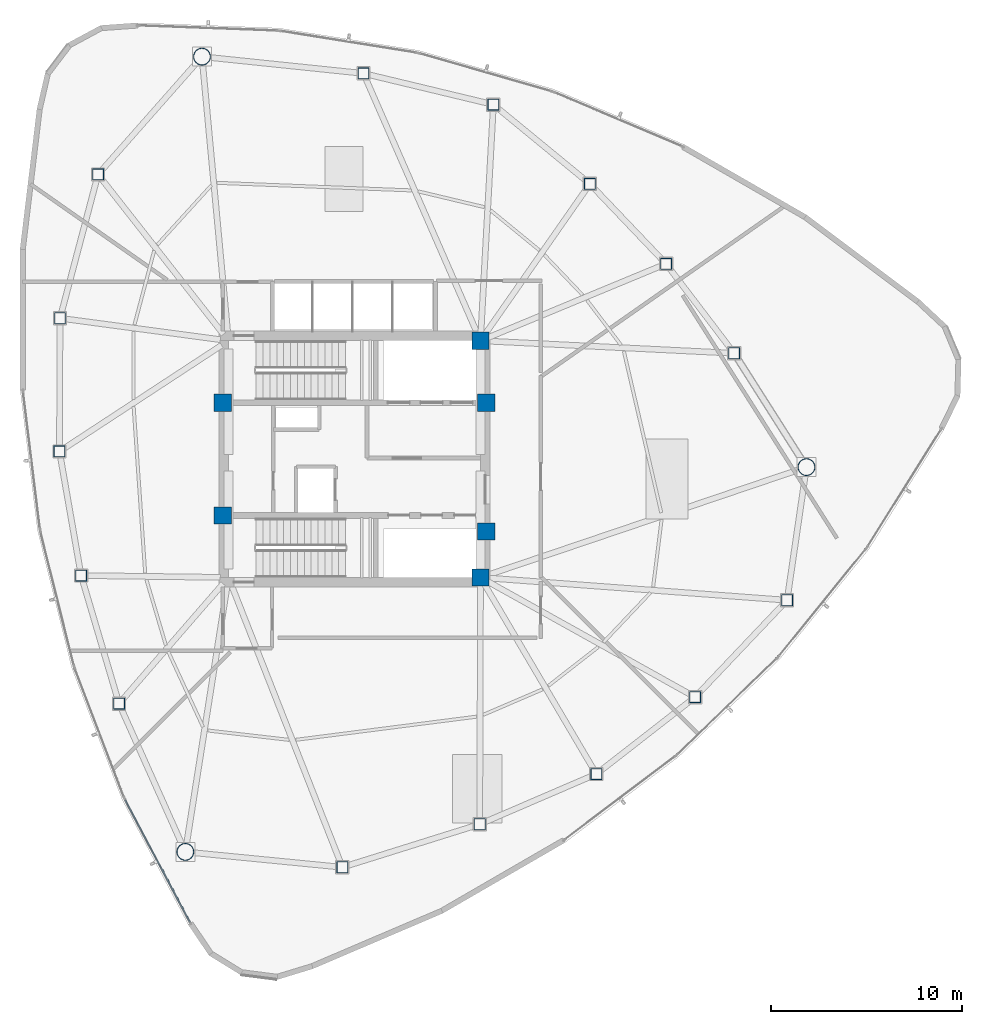
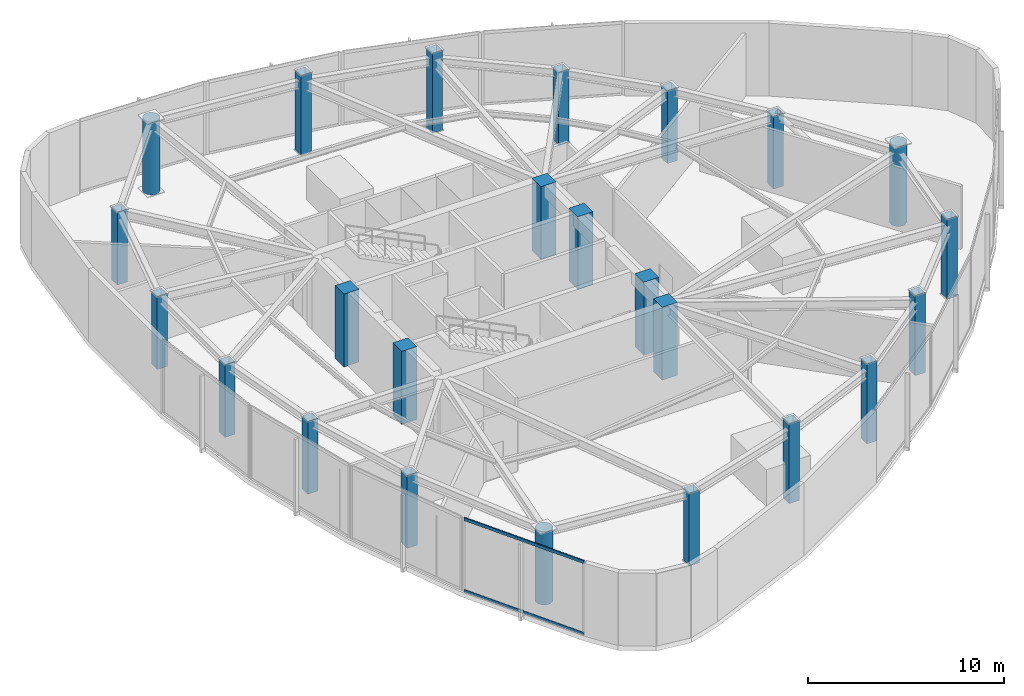
# One storey, part 1 of 17: 24 columns, 2 members, 1 element without a shape of its own.
"""IFC4 building model written with IfcOpenShell, lengths in metres."""

from ifc_helpers import new_model, si_unit, direction, frame, origin, origin_2d, place, context, subcontext, project, spatial, rectangle, hollow_rectangle, hollow_circle, extrude, source, transform, mapped, material, layer, layer_set, material_profile, profile_set, type_object, type_shapes, element, aggregate, save


model = new_model("IFC4")

# Units and contexts
model_context = context("Model", 3, precision=1e-05, world=origin(), true_north=direction((0.0, 1.0)))
body_context = subcontext(model_context, "Body", "Model", "MODEL_VIEW")
ifc_project = project(units=[si_unit("LENGTHUNIT", "METRE"), si_unit("AREAUNIT", "SQUARE_METRE"), si_unit("VOLUMEUNIT", "CUBIC_METRE"), si_unit("PLANEANGLEUNIT", "RADIAN"), si_unit("MASSUNIT", "GRAM", prefix="KILO")], contexts=[model_context])

# Site, building, storey
site_placement = place(None, origin())
site = spatial("IfcSite", under=ifc_project, at=site_placement, CompositionType="ELEMENT")
building_placement = place(site_placement, origin())
building = spatial("IfcBuilding", under=site, at=building_placement, Name="Tavelor Broadcast Tower", CompositionType="ELEMENT")
storey_placement = place(building_placement, frame((0.0, 0.0, 204.14990234375)))
storey = spatial("IfcBuildingStorey", under=building, at=storey_placement, Name="L49", CompositionType="ELEMENT", Elevation=204.14990234375)

# Columns
ifc_material_1 = material(Name="Concrete C50/60", Category="concrete")
ifc_material_profile_1 = material_profile(ifc_material_1, rectangle(XDim=0.89990234375, YDim=0.89990234375, at=origin_2d()), Name="RC 900x900")
ifc_profile_set_1 = profile_set([ifc_material_profile_1], Name="Concrete C50/60")
column_type_1 = type_object("IfcColumnType", Name="Core Embedded Composite Column RC900", PredefinedType="COLUMN", material=ifc_profile_set_1)
for number, where, z_axis, x_axis, name in (
    (1, (43.10009765625, 47.949951171875, 0.0), (0.0, 0.0, 1.0), (1.0, 0.0, 0.0), "L49 Core Embedded Column 1"),
    (2, (56.89990234375, 47.949951171875, 0.0), (0.0, 0.0, 1.0), (1.0, 0.0, 0.0), "L49 Core Embedded Column 2"),
    (3, (56.60009765625, 51.199951171875, 0.0), (0.0, 0.0, 1.0), (1.0, 0.0, 0.0), "L49 Core Embedded Column 3"),
    (4, (43.10009765625, 42.050048828125, 0.0), (0.0, 0.0, 1.0), (1.0, 0.0, 0.0), "L49 Core Embedded Column 4"),
    (5, (56.89990234375, 41.199951171875, 0.0), (0.0, 0.0, 1.0), (1.0, 0.0, 0.0), "L49 Core Embedded Column 5"),
    (6, (56.60009765625, 38.800048828125, 0.0), (0.0, 0.0, 1.0), (1.0, 0.0, 0.0), "L49 Core Embedded Column 6"),
):
    element("IfcColumn", number, at=place(storey_placement, frame(where, z_axis=z_axis, x_axis=x_axis)), inside=storey, type_object=column_type_1, Name=name, PredefinedType="COLUMN", context=body_context, shape_type="SweptSolid", body=[
        extrude(rectangle(XDim=0.89990234375, YDim=0.89990234375, at=origin_2d()), origin(), (0.0, 0.0, 1.0), 4.550048828125),
    ])
ifc_material_2 = material(Name="Steel S460", Category="steel")
ifc_material_profile_2 = material_profile(ifc_material_2, hollow_rectangle(XDim=0.60009765625, YDim=0.60009765625, WallThickness=0.035888671875, at=origin_2d()), Name="SHS 600x600x36")
ifc_profile_set_2 = profile_set([ifc_material_profile_2], Name="Steel S460")
column_type_2 = type_object("IfcColumnType", Name="Perimeter Tube Column T4 SHS 600x600x36", PredefinedType="COLUMN", material=ifc_profile_set_2)
for number, where, z_axis, x_axis, name in (
    (7, (36.567626953125, 59.91064453125, 0.0), (0.0, 0.0, 1.0), (1.0, 0.0, 0.0), "L49 Perimeter Framed-Tube Column 02"),
    (8, (34.5751953125, 52.37939453125, 0.0), (0.0, 0.0, 1.0), (1.0, 0.0, 0.0), "L49 Perimeter Framed-Tube Column 03"),
    (9, (34.54638671875, 45.399169921875, 0.0), (0.0, 0.0, 1.0), (1.0, 0.0, 0.0), "L49 Perimeter Framed-Tube Column 04"),
    (10, (35.680908203125, 38.89990234375, 0.0), (0.0, 0.0, 1.0), (1.0, 0.0, 0.0), "L49 Perimeter Framed-Tube Column 05"),
    (11, (37.668212890625, 32.1904296875, 0.0), (0.0, 0.0, 1.0), (1.0, 0.0, 0.0), "L49 Perimeter Framed-Tube Column 06"),
    (12, (49.366455078125, 23.618896484375, 0.0), (0.0, 0.0, 1.0), (1.0, 0.0, 0.0), "L49 Perimeter Framed-Tube Column 08"),
):
    element("IfcColumn", number, at=place(storey_placement, frame(where, z_axis=z_axis, x_axis=x_axis)), inside=storey, type_object=column_type_2, Name=name, PredefinedType="COLUMN", context=body_context, shape_type="SweptSolid", body=[
        extrude(hollow_rectangle(XDim=0.60009765625, YDim=0.60009765625, WallThickness=0.035888671875, at=origin_2d()), origin(), (0.0, 0.0, 1.0), 4.550048828125),
    ])
for number, where, z_axis, x_axis, name in (
    (13, (56.56103515625, 25.872802734375, 0.0), (0.0, 0.0, 1.0), (1.0, 0.0, 0.0), "L49 Perimeter Framed-Tube Column 09"),
    (14, (62.669189453125, 28.503173828125, 0.0), (0.0, 0.0, 1.0), (1.0, 0.0, 0.0), "L49 Perimeter Framed-Tube Column 10"),
    (15, (67.84228515625, 32.53173828125, 0.0), (0.0, 0.0, 1.0), (1.0, 0.0, 0.0), "L49 Perimeter Framed-Tube Column 11"),
    (16, (72.6591796875, 37.607421875, 0.0), (0.0, 0.0, 1.0), (1.0, 0.0, 0.0), "L49 Perimeter Framed-Tube Column 12"),
):
    element("IfcColumn", number, at=place(storey_placement, frame(where, z_axis=z_axis, x_axis=x_axis)), inside=storey, type_object=column_type_2, Name=name, PredefinedType="COLUMN", context=body_context, shape_type="SweptSolid", body=[
        extrude(hollow_rectangle(XDim=0.60009765625, YDim=0.60009765625, WallThickness=0.035888671875, at=origin_2d()), origin(), (0.0, 0.0, 1.0), 5.0),
    ])
for number, where, z_axis, x_axis, name in (
    (17, (69.885986328125, 50.544189453125, 0.0), (0.0, 0.0, 1.0), (1.0, 0.0, 0.0), "L49 Perimeter Framed-Tube Column 14"),
    (18, (66.322021484375, 55.228759765625, 0.0), (0.0, 0.0, 1.0), (1.0, 0.0, 0.0), "L49 Perimeter Framed-Tube Column 15"),
    (19, (62.330810546875, 59.416259765625, 0.0), (0.0, 0.0, 1.0), (1.0, 0.0, 0.0), "L49 Perimeter Framed-Tube Column 16"),
):
    element("IfcColumn", number, at=place(storey_placement, frame(where, z_axis=z_axis, x_axis=x_axis)), inside=storey, type_object=column_type_2, Name=name, PredefinedType="COLUMN", context=body_context, shape_type="SweptSolid", body=[
        extrude(hollow_rectangle(XDim=0.60009765625, YDim=0.60009765625, WallThickness=0.035888671875, at=origin_2d()), origin(), (0.0, 0.0, 1.0), 4.550048828125),
    ])
for number, where, z_axis, x_axis, name in (
    (20, (57.276611328125, 63.568359375, 0.0), (0.0, 0.0, 1.0), (1.0, 0.0, 0.0), "L49 Perimeter Framed-Tube Column 17"),
    (21, (50.472412109375, 65.2021484375, 0.0), (0.0, 0.0, 1.0), (1.0, 0.0, 0.0), "L49 Perimeter Framed-Tube Column 18"),
):
    element("IfcColumn", number, at=place(storey_placement, frame(where, z_axis=z_axis, x_axis=x_axis)), inside=storey, type_object=column_type_2, Name=name, PredefinedType="COLUMN", context=body_context, shape_type="SweptSolid", body=[
        extrude(hollow_rectangle(XDim=0.60009765625, YDim=0.60009765625, WallThickness=0.035888671875, at=origin_2d()), origin(), (0.0, 0.0, 1.0), 5.0),
    ])
ifc_material_profile_3 = material_profile(ifc_material_2, hollow_circle(Radius=0.45703125, WallThickness=0.0400390625, at=origin_2d()), Name="CHS 914x40")
ifc_profile_set_3 = profile_set([ifc_material_profile_3], Name="Steel S460")
column_type_3 = type_object("IfcColumnType", Name="Tower Mega Column T4 CHS 914x40", PredefinedType="COLUMN", material=ifc_profile_set_3)
for number, where, z_axis, x_axis, name in (
    (22, (42.01123046875, 66.080078125, 0.0), (0.0, 0.0, 1.0), (1.0, 0.0, 0.0), "L49 Tower Corner Mega Column 01"),
    (23, (41.138671875, 24.423828125, 0.0), (0.0, 0.0, 1.0), (1.0, 0.0, 0.0), "L49 Tower Corner Mega Column 07"),
):
    element("IfcColumn", number, at=place(storey_placement, frame(where, z_axis=z_axis, x_axis=x_axis)), inside=storey, type_object=column_type_3, Name=name, PredefinedType="COLUMN", context=body_context, shape_type="SweptSolid", body=[
        extrude(hollow_circle(Radius=0.45703125, WallThickness=0.0400390625, at=origin_2d()), origin(), (0.0, 0.0, 1.0), 4.550048828125),
    ])
column_placement = place(storey_placement, frame((73.676025390625, 44.57958984375, 0.0), z_axis=(0.0, 0.0, 1.0), x_axis=(1.0, 0.0, 0.0)))
element("IfcColumn", 24, at=column_placement, inside=storey, type_object=column_type_3, Name="L49 Tower Corner Mega Column 13", PredefinedType="COLUMN", context=body_context, shape_type="SweptSolid", body=[
    extrude(hollow_circle(Radius=0.45703125, WallThickness=0.0400390625, at=origin_2d()), origin(), (0.0, 0.0, 1.0), 5.0),
])

# Curtain wall, members
ifc_material_3 = material(Name="Architectural Anodized Aluminium", Category="aluminium")
ifc_layer = layer(ifc_material_3, 0.18994140625)
ifc_layer_set = layer_set([ifc_layer], Name="Architectural Anodized Aluminium")
curtain_wall_type = type_object("IfcCurtainWallType", Name="Tower Mid-Zone Acoustic Curtain Wall CW03", PredefinedType="NOTDEFINED", material=ifc_layer_set)
curtain_wall_placement = place(storey_placement, origin())
curtain_wall = element("IfcCurtainWall", 25, at=curtain_wall_placement, inside=storey, type_object=curtain_wall_type, Name="L49 Curtain Wall CW03 Run 532", PredefinedType="NOTDEFINED")
ifc_material_profile_4 = material_profile(ifc_material_3, hollow_rectangle(XDim=0.068115234375, YDim=0.18994140625, WallThickness=0.02197265625, at=origin_2d()), Name="RHS 68x190x22")
ifc_profile_set_4 = profile_set([ifc_material_profile_4], Name="Architectural Anodized Aluminium")
member_type = type_object("IfcMemberType", Name="CW03 Extruded Aluminium Transom 68x190", PredefinedType="USERDEFINED", material=ifc_profile_set_4)
shared_shape = source(origin(), body_context, "Body", "SweptSolid", [
    extrude(hollow_rectangle(XDim=0.068115234375, YDim=0.18994140625, WallThickness=0.02197265625, at=origin_2d()), origin(), (0.0, 0.0, 1.0), 7.23583984375),
])
type_shapes(member_type, [shared_shape])
member_1_placement = place(storey_placement, frame((37.99267578125, 27.1416015625, 0.0341796875), z_axis=(0.467569895183, -0.883956103615, 0.0), x_axis=(0.883956103615, 0.467569895183, 0.0)))
member_1 = element("IfcMember", 26, at=member_1_placement, type_object=member_type, Name="CW03 transom 1.1", ObjectType="TRANSOM", PredefinedType="USERDEFINED", context=body_context, shape_type="MappedRepresentation", body=[
    mapped(shared_shape, transform((0.0, 0.0, 0.0), scale=1.0)),
])
member_2_placement = place(storey_placement, frame((37.99267578125, 27.1416015625, 4.51611328125), z_axis=(0.467569895183, -0.883956103615, 0.0), x_axis=(0.883956103615, 0.467569895183, 0.0)))
member_2 = element("IfcMember", 27, at=member_2_placement, type_object=member_type, Name="CW03 transom 1.2", ObjectType="TRANSOM", PredefinedType="USERDEFINED", context=body_context, shape_type="MappedRepresentation", body=[
    mapped(shared_shape, transform((0.0, 0.0, 0.0), scale=1.0)),
])
aggregate(curtain_wall, [member_1, member_2])

save(model, "model.ifc")
